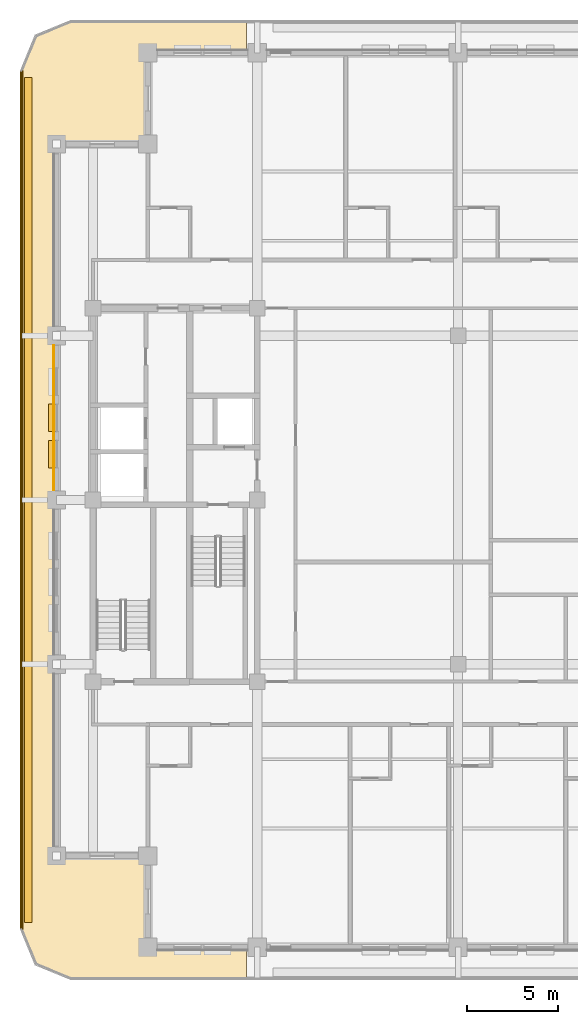
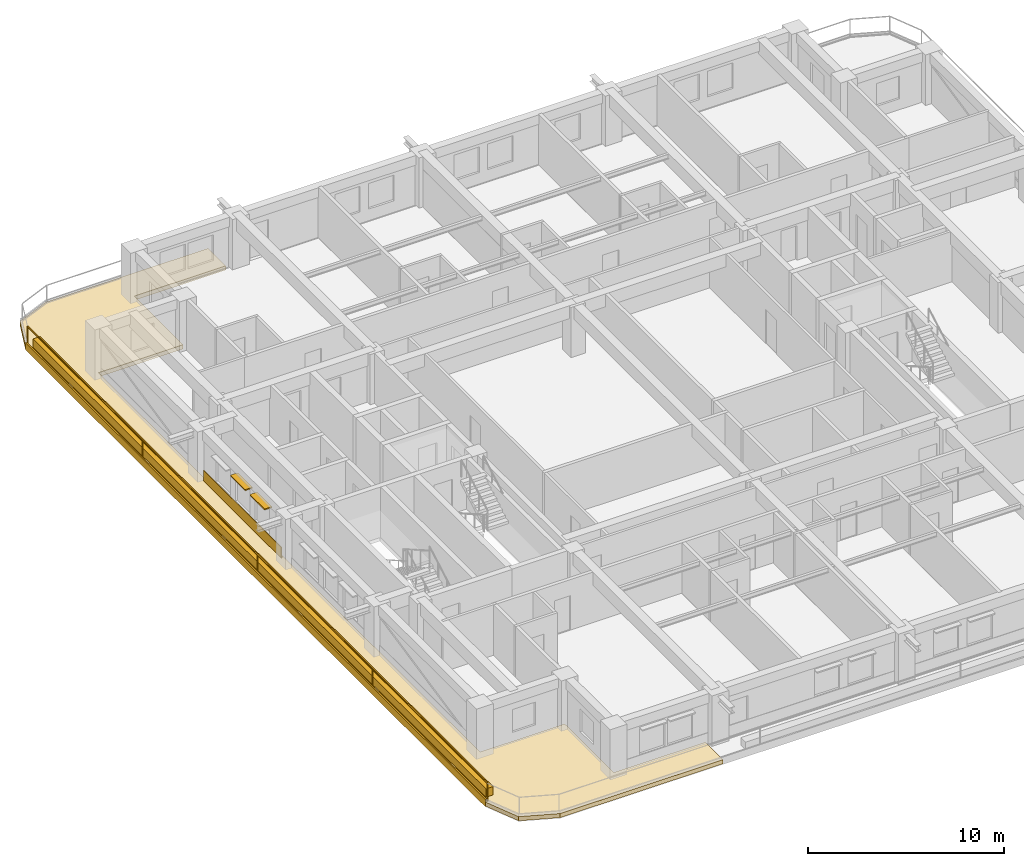
# One storey, part 10 of 13: 4 coverings, 2 shading devices, 1 railing.
"""IFC4 building model written with IfcOpenShell, lengths in metres."""

from ifc_helpers import new_model, si_unit, direction, frame, frame_2d, origin, origin_2d, place, context, subcontext, project, spatial, polyline, rectangle, outline, extrude, material, layer, layer_set, type_object, element, save


model = new_model("IFC4")

# Units and contexts
model_context = context("Model", 3, precision=1e-05, world=origin(), true_north=direction((0.0, 1.0)))
body_context = subcontext(model_context, "Body", "Model", "MODEL_VIEW")
ifc_project = project(units=[si_unit("LENGTHUNIT", "METRE"), si_unit("AREAUNIT", "SQUARE_METRE"), si_unit("VOLUMEUNIT", "CUBIC_METRE"), si_unit("PLANEANGLEUNIT", "RADIAN"), si_unit("MASSUNIT", "GRAM", prefix="KILO")], contexts=[model_context])

# Site, building, storey
site_placement = place(None, origin())
site = spatial("IfcSite", under=ifc_project, at=site_placement, CompositionType="ELEMENT")
building_placement = place(site_placement, origin())
building = spatial("IfcBuilding", under=site, at=building_placement, Name="Zulmaris Gate Convention Tower", CompositionType="ELEMENT")
storey_placement = place(building_placement, frame((0.0, 0.0, 166.059814453125)))
storey = spatial("IfcBuildingStorey", under=building, at=storey_placement, Name="L42", CompositionType="ELEMENT", Elevation=166.059814453125)

# Coverings
ifc_material_1 = material(Name="Precast concrete C40/50", Category="concrete")
ifc_layer_1 = layer(ifc_material_1, 0.0400390625, Name="Precast concrete C40/50")
ifc_layer_set_1 = layer_set([ifc_layer_1], Name="Precast concrete C40/50")
covering_type_1 = type_object("IfcCoveringType", Name="CLAD-SPANDREL-PRECAST", PredefinedType="CLADDING", material=ifc_layer_set_1)
covering_1_placement = place(storey_placement, frame((-22.14990234375, 8.469970703125, 0.0), z_axis=(0.0, 0.0, 1.0), x_axis=(0.0, -1.0, 0.0)))
element("IfcCovering", 1, at=covering_1_placement, inside=storey, type_object=covering_type_1, Name="CLD-L42-W-2_0", PredefinedType="CLADDING", context=body_context, shape_type="SweptSolid", body=[
    extrude(rectangle(XDim=7.93994140625, YDim=0.0400390625, at=frame_2d((3.969970703125, 0.0))), origin(), (0.0, 0.0, 1.0), 0.679931640625),
])
ifc_material_2 = material(Name="White Glazed Architectural Precast Concrete C40/50", Category="concrete")
ifc_layer_2 = layer(ifc_material_2, 0.239990234375, Name="White Glazed Architectural Precast Concrete C40/50")
ifc_layer_set_2 = layer_set([ifc_layer_2], Name="White Glazed Architectural Precast Concrete C40/50")
covering_type_2 = type_object("IfcCoveringType", Name="CLAD-TRAY-DECK", PredefinedType="CLADDING", material=ifc_layer_set_2)
covering_2_placement = place(storey_placement, frame((0.0, 0.0, -0.25)))
element("IfcCovering", 2, at=covering_2_placement, inside=storey, type_object=covering_type_2, Name="L42 West Rounded-Fascia Planter Tray Deck", PredefinedType="CLADDING", context=body_context, shape_type="SweptSolid", body=[
    extrude(outline(polyline([(-24.0, 23.5), (-23.179931640625, 25.47998046875), (-21.199951171875, 26.300048828125), (-11.60205078125, 26.300048828125), (-11.60205078125, 24.5), (-17.0, 24.5), (-17.0, 19.5), (-22.0, 19.5), (-22.0, -19.5), (-17.0, -19.5), (-17.0, -24.5), (-11.60205078125, -24.5), (-11.60205078125, -26.300048828125), (-21.199951171875, -26.300048828125), (-23.179931640625, -25.47998046875), (-24.0, -23.5), (-24.0, 23.5)])), origin(), (0.0, 0.0, 1.0), 0.260009765625),
])
ifc_layer_3 = layer(ifc_material_2, 0.080078125, Name="White Glazed Architectural Precast Concrete C40/50")
ifc_layer_set_3 = layer_set([ifc_layer_3], Name="White Glazed Architectural Precast Concrete C40/50")
covering_type_3 = type_object("IfcCoveringType", Name="CLAD-TRAY-FASCIA", PredefinedType="CLADDING", material=ifc_layer_set_3)
covering_3_placement = place(storey_placement, frame((-23.9599609375, 23.5, -0.2900390625), z_axis=(0.0, 0.0, 1.0), x_axis=(0.0, -1.0, 0.0)))
element("IfcCovering", 3, at=covering_3_placement, inside=storey, type_object=covering_type_3, Name="FSC-L42-TR-11", PredefinedType="CLADDING", context=body_context, shape_type="SweptSolid", body=[
    extrude(rectangle(XDim=47.0, YDim=0.080078125, at=frame_2d((23.5, 0.0))), origin(), (0.0, 0.0, 1.0), 0.4599609375),
])
ifc_material_3 = material(Name="Botanical Green Glazed Precast Concrete C40/50", Category="concrete")
ifc_layer_4 = layer(ifc_material_3, 0.419921875, Name="Botanical Green Glazed Precast Concrete C40/50")
ifc_layer_set_4 = layer_set([ifc_layer_4], Name="Botanical Green Glazed Precast Concrete C40/50")
covering_type_4 = type_object("IfcCoveringType", Name="PLANTER-BOX-200", PredefinedType="CLADDING", material=ifc_layer_set_4)
covering_4_placement = place(storey_placement, frame((0.0, 0.0, 0.010009765625)))
element("IfcCovering", 4, at=covering_4_placement, inside=storey, type_object=covering_type_4, Name="L42 W Full-Length Balcony Tree Planter Trough", PredefinedType="CLADDING", context=body_context, shape_type="SweptSolid", body=[
    extrude(outline(polyline([(-23.760009765625, -23.14990234375), (-23.340087890625, -23.14990234375), (-23.340087890625, 23.14990234375), (-23.760009765625, 23.14990234375), (-23.760009765625, -23.14990234375)])), origin(), (0.0, 0.0, 1.0), 0.52001953125),
])

# Railing
ifc_material_4 = material(Name="Laminated Glass and Stainless Steel", Category="steel")
railing_type = type_object("IfcRailingType", Name="RL-BALC-1150", PredefinedType="BALUSTRADE", material=ifc_material_4)
railing_placement = place(storey_placement, frame((-23.8798828125, 23.5, 0.010009765625)))
element("IfcRailing", 5, at=railing_placement, inside=storey, type_object=railing_type, Name="RL-L42-BALC-W", PredefinedType="BALUSTRADE", context=body_context, shape_type="SweptSolid", body=[
    extrude(rectangle(XDim=0.048095703125, YDim=0.048095703125, at=origin_2d()), frame((0.0, 0.0, 1.1259765625), z_axis=(0.0, -1.0, 0.0), x_axis=(1.0, 0.0, 0.0)), (0.0, 0.0, 1.0), 47.0),
    extrude(rectangle(XDim=0.048095703125, YDim=0.048095703125, at=origin_2d()), frame((0.0, 0.0, 0.02392578125), z_axis=(0.0, -1.0, 0.0), x_axis=(1.0, 0.0, 0.0)), (0.0, 0.0, 1.0), 47.0),
    extrude(rectangle(XDim=0.0419921875, YDim=0.0419921875, at=origin_2d()), origin(), (0.0, 0.0, 1.0), 1.101806640625),
    extrude(rectangle(XDim=0.0419921875, YDim=0.0419921875, at=origin_2d()), frame((0.0, -11.75, 0.0)), (0.0, 0.0, 1.0), 1.101806640625),
    extrude(rectangle(XDim=0.0419921875, YDim=0.0419921875, at=origin_2d()), frame((0.0, -23.5, 0.0)), (0.0, 0.0, 1.0), 1.101806640625),
    extrude(rectangle(XDim=0.0419921875, YDim=0.0419921875, at=origin_2d()), frame((0.0, -35.25, 0.0)), (0.0, 0.0, 1.0), 1.101806640625),
    extrude(rectangle(XDim=0.0419921875, YDim=0.0419921875, at=origin_2d()), frame((0.0, -47.0, 0.0)), (0.0, 0.0, 1.0), 1.101806640625),
])

# Shading devices
ifc_material_5 = material(Name="Glazed Ceramic Terracotta", Category="masonry")
ifc_layer_5 = layer(ifc_material_5, 0.070068359375, Name="Glazed Ceramic Terracotta")
ifc_layer_set_5 = layer_set([ifc_layer_5], Name="Glazed Ceramic Terracotta")
shading_device_type = type_object("IfcShadingDeviceType", Name="SHD-SUNSHADE-TC", PredefinedType="AWNING", material=ifc_layer_set_5)
for number, where, z_axis, x_axis, name in (
    (6, (-22.219970703125, 5.25, 2.35009765625), (0.0, 0.0, 1.0), (0.0, -1.0, 0.0), "SHD-EW-L42-W-2_0-2"),
    (7, (-22.219970703125, 3.264892578125, 2.35009765625), (0.0, 0.0, 1.0), (0.0, -1.0, 0.0), "SHD-EW-L42-W-2_0-3"),
):
    element("IfcShadingDevice", number, at=place(storey_placement, frame(where, z_axis=z_axis, x_axis=x_axis)), inside=storey, type_object=shading_device_type, Name=name, PredefinedType="AWNING", context=body_context, shape_type="SweptSolid", body=[
        extrude(rectangle(XDim=1.5, YDim=0.43994140625, at=frame_2d((0.75, 0.0))), origin(), (0.0, 0.0, 1.0), 0.06982421875),
    ])

save(model, "model.ifc")
